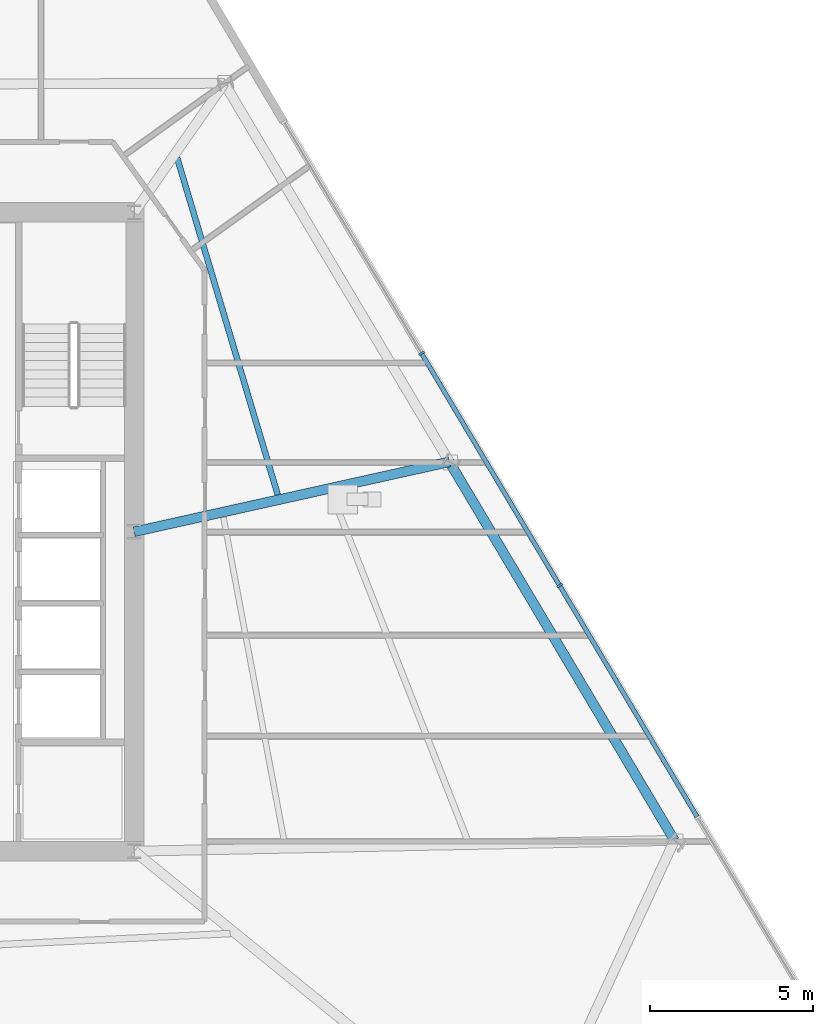
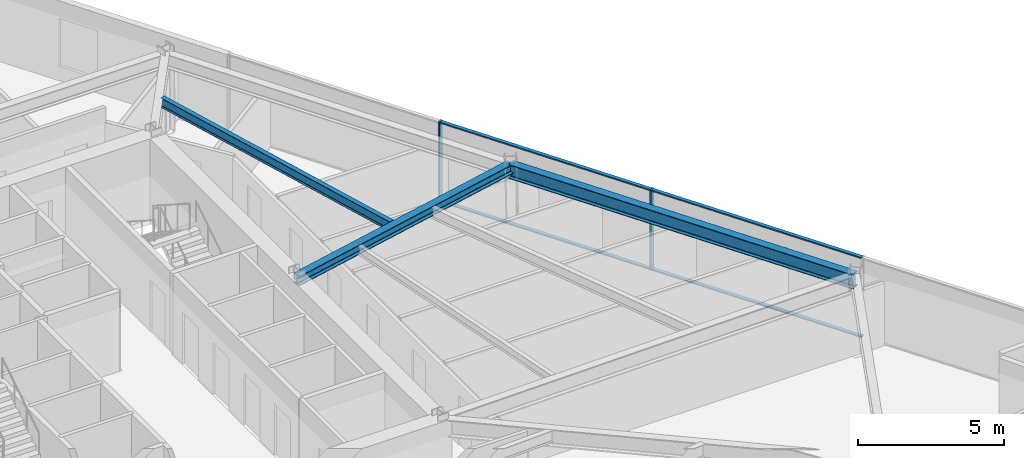
# One storey, part 6 of 17: 6 members, 3 beams, 1 element without a shape of its own.
"""IFC4 building model written with IfcOpenShell, lengths in metres."""

import ifcopenshell
import ifcopenshell.guid

model = None  # the IFC model being written
_history = None  # IfcOwnerHistory: only IFC2X3 demands one
_inside = {}  # id of a spatial element -> (the spatial element, [elements in it])
_under = {}  # id of a project, library or spatial element -> (it, [spatial elements below it])
_declared = {}  # id of a project -> (the project, [libraries it declares])
_typed = {}  # id of a type object -> (the type object, [elements of that type])
_made_of = {}  # id of a material, layer set ... -> (it, [elements and type objects made of it])


def new_model(schema):
    """Start an empty IFC model of exactly this schema.

    Asked for "IFC4X3", IfcOpenShell would pick the latest addendum, in which some entities
    have other attributes; the version numbers below select the first issue.
    IFC2X3 requires an IfcOwnerHistory on every rooted entity: one is made here for all.
    """
    global model, _history
    if schema == "IFC4X3":
        model = ifcopenshell.file(schema_version=(4, 3, 0, 0))
    else:
        model = ifcopenshell.file(schema=schema)
    _inside.clear()
    _under.clear()
    _declared.clear()
    _typed.clear()
    _made_of.clear()
    _history = None
    if model.schema == "IFC2X3":
        org = make("IfcOrganization", Name="unknown")
        user = make(
            "IfcPersonAndOrganization",
            ThePerson=make("IfcPerson", FamilyName="unknown"),
            TheOrganization=org,
        )
        app = make(
            "IfcApplication",
            ApplicationDeveloper=org,
            Version="unknown",
            ApplicationFullName="unknown",
            ApplicationIdentifier="unknown",
        )
        _history = make(
            "IfcOwnerHistory",
            OwningUser=user,
            OwningApplication=app,
            ChangeAction="ADDED",
            CreationDate=0,
        )
    return model


def make(cls, **values):
    """One entity of the class cls with the attributes given. An attribute that is None is left unset."""
    return model.create_entity(
        cls, **{name: value for name, value in values.items() if value is not None}
    )


def rooted(cls, **values):
    """An entity with a GlobalId (a new one), such as an element, a storey or a relation."""
    return make(cls, GlobalId=ifcopenshell.guid.new(), OwnerHistory=_history, **values)


def si_unit(unit_type, name, prefix=None):
    """IfcSIUnit, for example si_unit("LENGTHUNIT", "METRE", prefix="MILLI")."""
    return make("IfcSIUnit", UnitType=unit_type, Prefix=prefix, Name=name)


def assignment(units):
    """IfcUnitAssignment: the units of a project."""
    return None if units is None else make("IfcUnitAssignment", Units=units)


def point(xyz):
    """IfcCartesianPoint."""
    return None if xyz is None else make("IfcCartesianPoint", Coordinates=xyz)


def direction(xyz):
    """IfcDirection."""
    return None if xyz is None else make("IfcDirection", DirectionRatios=xyz)


def frame(location, z_axis=None, x_axis=None):
    """IfcAxis2Placement3D, a coordinate frame: its origin and axes. An axis left out is left unset."""
    return make(
        "IfcAxis2Placement3D",
        Location=point(location),
        Axis=direction(z_axis),
        RefDirection=direction(x_axis),
    )


def frame_2d(location, x_axis=None):
    """IfcAxis2Placement2D, a coordinate frame in the plane: its origin and x axis."""
    return make(
        "IfcAxis2Placement2D", Location=point(location), RefDirection=direction(x_axis)
    )


def origin():
    """The frame at (0, 0, 0) with its axes left unset."""
    return frame((0.0, 0.0, 0.0))


def origin_2d():
    """The frame at (0, 0) in the plane with its x axis left unset."""
    return frame_2d((0.0, 0.0))


def place(relative_to, where):
    """IfcLocalPlacement: puts the frame where relative to a parent placement (None: the world)."""
    return make(
        "IfcLocalPlacement", PlacementRelTo=relative_to, RelativePlacement=where
    )


def context(
    kind, dimensions, precision=None, world=None, true_north=None, identifier=None
):
    """IfcGeometricRepresentationContext, for example the 3D "Model" context."""
    return make(
        "IfcGeometricRepresentationContext",
        ContextIdentifier=identifier,
        ContextType=kind,
        CoordinateSpaceDimension=dimensions,
        Precision=precision,
        WorldCoordinateSystem=world,
        TrueNorth=true_north,
    )


def subcontext(parent, identifier, kind, view, scale=None):
    """IfcGeometricRepresentationSubContext, for example "Body" below "Model"."""
    return make(
        "IfcGeometricRepresentationSubContext",
        ContextIdentifier=identifier,
        ContextType=kind,
        ParentContext=parent,
        TargetScale=scale,
        TargetView=view,
    )


def project(units=None, contexts=None):
    """IfcProject with its units and contexts."""
    return rooted(
        "IfcProject",
        Name="project",
        RepresentationContexts=contexts,
        UnitsInContext=assignment(units),
    )


def spatial(cls, under=None, at=None, **own):
    """A site, building, storey or space (cls), placed at a placement, below another one or the project."""
    s = rooted(cls, ObjectPlacement=at, **own)
    if under is not None:
        _under.setdefault(under.id(), (under, []))[1].append(s)
    return s


def profile(cls, at=None, kind="AREA", **sizes):
    """A parametric profile (cls). Its sizes go by their IFC names, for example OverallWidth=200.0."""
    return make(cls, ProfileType=kind, Position=at, **sizes)


def rectangle(**sizes):
    """IfcRectangleProfileDef."""
    return profile("IfcRectangleProfileDef", **sizes)


def i_section(**sizes):
    """IfcIShapeProfileDef."""
    return profile("IfcIShapeProfileDef", **sizes)


def extrude(swept, where, along, depth):
    """IfcExtrudedAreaSolid: the profile swept, set in the frame where, extruded along a direction by depth."""
    return make(
        "IfcExtrudedAreaSolid",
        SweptArea=swept,
        Position=where,
        ExtrudedDirection=direction(along),
        Depth=depth,
    )


def shape(context_of_items, identifier, shape_type, items):
    """IfcShapeRepresentation: the items that make up one representation, for example the "Body"."""
    return make(
        "IfcShapeRepresentation",
        ContextOfItems=context_of_items,
        RepresentationIdentifier=identifier,
        RepresentationType=shape_type,
        Items=items,
    )


def material(Name=None, Category=None):
    """IfcMaterial."""
    return make("IfcMaterial", Name=Name, Category=Category)


def material_profile(
    of_material, cross_section, Name=None, Category=None, Priority=None
):
    """IfcMaterialProfile: a cross section and its material."""
    return make(
        "IfcMaterialProfile",
        Name=Name,
        Material=of_material,
        Profile=cross_section,
        Priority=Priority,
        Category=Category,
    )


def profile_set(profiles, Name=None, composite=None):
    """IfcMaterialProfileSet."""
    return make(
        "IfcMaterialProfileSet",
        Name=Name,
        MaterialProfiles=profiles,
        CompositeProfile=composite,
    )


def made_of(thing, what):
    """Note that an element or type object is made of a material, layer set ...; save() writes the relation."""
    if what is not None:
        _made_of.setdefault(what.id(), (what, []))[1].append(thing)
    return thing


def type_object(cls, material=None, **own):
    """A type object (cls), such as IfcWallType, which elements share."""
    return made_of(rooted(cls, **own), material)


def element(
    cls,
    number,
    at=None,
    inside=None,
    cuts=None,
    type_object=None,
    material=None,
    context=None,
    identifier="Body",
    shape_type=None,
    held_by="IfcProductDefinitionShape",
    body=None,
    shapes=None,
    **own,
):
    """One element of the class cls, such as IfcWall. Its Tag is "e" and its number.

    at: its placement. inside: the storey or other place that contains it. cuts: it is an
    opening in that element (IfcRelVoidsElement). A single representation is given by context,
    identifier, shape_type and body (its items); several are given by shapes. held_by: the class
    of the entity that holds the representations. save() writes the other relations.
    """
    e = rooted(cls, Tag="e%d" % number, ObjectPlacement=at, **own)
    if body is not None:
        shapes = [shape(context, identifier, shape_type, body)]
    if shapes is not None:
        e.Representation = make(held_by, Representations=shapes)
    if inside is not None:
        _inside.setdefault(inside.id(), (inside, []))[1].append(e)
    if cuts is not None:
        rooted(
            "IfcRelVoidsElement", RelatingBuildingElement=cuts, RelatedOpeningElement=e
        )
    if type_object is not None:
        _typed.setdefault(type_object.id(), (type_object, []))[1].append(e)
    return made_of(e, material)


def aggregate(whole, parts):
    """IfcRelAggregates: a whole, such as a stair, and the parts it consists of."""
    return rooted("IfcRelAggregates", RelatingObject=whole, RelatedObjects=parts)


def save(model, path):
    """Write the relations noted so far, then the file.

    IfcRelAggregates (storeys below a building ...), IfcRelContainedInSpatialStructure (elements
    in a storey), IfcRelDefinesByType, IfcRelAssociatesMaterial and IfcRelDeclares: one each for
    every whole, place, type object, material and project.
    """
    for whole, parts in _under.values():
        aggregate(whole, parts)
    for where, things in _inside.values():
        rooted(
            "IfcRelContainedInSpatialStructure",
            RelatedElements=things,
            RelatingStructure=where,
        )
    for kind, things in _typed.values():
        rooted("IfcRelDefinesByType", RelatedObjects=things, RelatingType=kind)
    for what, things in _made_of.values():
        rooted("IfcRelAssociatesMaterial", RelatedObjects=things, RelatingMaterial=what)
    for by, libraries in _declared.values():
        rooted("IfcRelDeclares", RelatingContext=by, RelatedDefinitions=libraries)
    model.write(path)


model = new_model("IFC4")

# Units and contexts
model_context = context("Model", 3, precision=1e-05, world=origin(), true_north=direction((0.0, 1.0)))
body_context = subcontext(model_context, "Body", "Model", "MODEL_VIEW")
ifc_project = project(units=[si_unit("LENGTHUNIT", "METRE"), si_unit("AREAUNIT", "SQUARE_METRE"), si_unit("VOLUMEUNIT", "CUBIC_METRE"), si_unit("PLANEANGLEUNIT", "RADIAN"), si_unit("MASSUNIT", "GRAM", prefix="KILO")], contexts=[model_context])

# Site, building, storey
site_placement = place(None, origin())
site = spatial("IfcSite", under=ifc_project, at=site_placement, CompositionType="ELEMENT")
building_placement = place(site_placement, origin())
building = spatial("IfcBuilding", under=site, at=building_placement, Name="Savorim Split Tower", CompositionType="ELEMENT")
storey_placement = place(building_placement, frame((0.0, 0.0, 58.800048828125)))
storey = spatial("IfcBuildingStorey", under=building, at=storey_placement, Name="L15", CompositionType="ELEMENT", Elevation=58.800048828125)

# Beams
ifc_material_1 = material(Name="Steel S355", Category="steel")
ifc_material_profile_1 = material_profile(ifc_material_1, i_section(OverallWidth=0.179931640625, OverallDepth=0.39990234375, WebThickness=0.008544921875, FlangeThickness=0.013427734375, FilletRadius=0.02099609375, at=origin_2d()), Name="IPE 400")
ifc_profile_set_1 = profile_set([ifc_material_profile_1], Name="Steel S355")
beam_type_1 = type_object("IfcBeamType", Name="BM-JST-IPE400", PredefinedType="JOIST", material=ifc_profile_set_1)
beam_1_placement = place(storey_placement, frame((12.101806640625, 1.540283203125, 3.14990234375), z_axis=(-0.286213075554, 0.958165995734, 0.0), x_axis=(-0.958165995734, -0.286213075554, 0.0)))
element("IfcBeam", 1, at=beam_1_placement, inside=storey, type_object=beam_type_1, Name="L15 Secondary Floor Joist JS-07", PredefinedType="JOIST", context=body_context, shape_type="SweptSolid", body=[
    extrude(i_section(OverallWidth=0.179931640625, OverallDepth=0.39990234375, WebThickness=0.008544921875, FlangeThickness=0.013427734375, FilletRadius=0.02099609375, at=origin_2d()), origin(), (0.0, 0.0, 1.0), 10.778564453125),
])
ifc_material_profile_2 = material_profile(ifc_material_1, i_section(OverallWidth=0.300048828125, OverallDepth=0.39990234375, WebThickness=0.013427734375, FlangeThickness=0.02392578125, FilletRadius=0.027099609375, at=origin_2d()), Name="HEB 400")
ifc_profile_set_2 = profile_set([ifc_material_profile_2], Name="Steel S355")
beam_type_2 = type_object("IfcBeamType", Name="BM-PRI-HEB400", PredefinedType="BEAM", material=ifc_profile_set_2)
beam_2_placement = place(storey_placement, frame((17.368408203125, 2.5458984375, 3.14990234375), z_axis=(-0.976241552269, -0.216685097835, 0.0), x_axis=(0.216685097835, -0.976241552269, 0.0)))
element("IfcBeam", 2, at=beam_2_placement, inside=storey, type_object=beam_type_2, Name="L15 Primary Floor Girder RG-06", PredefinedType="BEAM", context=body_context, shape_type="SweptSolid", body=[
    extrude(i_section(OverallWidth=0.300048828125, OverallDepth=0.39990234375, WebThickness=0.013427734375, FlangeThickness=0.02392578125, FilletRadius=0.027099609375, at=origin_2d()), origin(), (0.0, 0.0, 1.0), 9.90380859375),
])
ifc_material_profile_3 = material_profile(ifc_material_1, i_section(OverallWidth=0.300048828125, OverallDepth=0.590087890625, WebThickness=0.012939453125, FlangeThickness=0.02490234375, FilletRadius=0.027099609375, at=origin_2d()), Name="HEA 600")
ifc_profile_set_3 = profile_set([ifc_material_profile_3], Name="Steel S355")
beam_type_3 = type_object("IfcBeamType", Name="BM-SPN-HEA600", PredefinedType="SPANDREL", material=ifc_profile_set_3)
beam_3_placement = place(storey_placement, frame((24.273681640625, -9.067138671875, 3.054931640625), z_axis=(-0.51108766043, 0.859528593681, 0.0), x_axis=(-0.859528593681, -0.51108766043, 0.0)))
element("IfcBeam", 3, at=beam_3_placement, inside=storey, type_object=beam_type_3, Name="L15 Perimeter Spandrel Beam 5", PredefinedType="SPANDREL", context=body_context, shape_type="SweptSolid", body=[
    extrude(i_section(OverallWidth=0.300048828125, OverallDepth=0.590087890625, WebThickness=0.012939453125, FlangeThickness=0.02490234375, FilletRadius=0.027099609375, at=origin_2d()), origin(), (0.0, 0.0, 1.0), 13.510986328125),
])

# Curtain wall, members
ifc_material_2 = material(Name="Dark Ceramic-Fritted Insulated Glass", Category="glass")
curtain_wall_type = type_object("IfcCurtainWallType", Name="CW-TWR-FRIT-A", PredefinedType="NOTDEFINED", material=ifc_material_2)
curtain_wall_placement = place(storey_placement, origin())
curtain_wall = element("IfcCurtainWall", 4, at=curtain_wall_placement, inside=storey, type_object=curtain_wall_type, Name="L15 Curtain Wall CW-L15-EAST", PredefinedType="NOTDEFINED")
ifc_material_3 = material(Name="Charcoal Anodised Aluminium", Category="aluminium")
ifc_material_profile_4 = material_profile(ifc_material_3, rectangle(XDim=0.179931640625, YDim=0.06494140625, at=origin_2d()), Name="ALU-M 180x65")
ifc_profile_set_4 = profile_set([ifc_material_profile_4], Name="Charcoal Anodised Aluminium")
member_type_1 = type_object("IfcMemberType", Name="CWM-180x65", PredefinedType="MULLION", material=ifc_profile_set_4)
member_1_placement = place(storey_placement, frame((20.750244140625, -1.248779296875, 0.0), z_axis=(0.0, 0.0, 1.0), x_axis=(-0.859525822673, -0.511092320583, 0.0)))
member_1 = element("IfcMember", 5, at=member_1_placement, type_object=member_type_1, Name="CW-02 mullion 3", PredefinedType="MULLION", context=body_context, shape_type="SweptSolid", body=[
    extrude(rectangle(XDim=0.179931640625, YDim=0.06494140625, at=origin_2d()), origin(), (0.0, 0.0, 1.0), 3.349853515625),
])
member_2_placement = place(storey_placement, frame((16.51513671875, 5.87353515625, 0.0), z_axis=(0.0, 0.0, 1.0), x_axis=(-0.859525822673, -0.511092320583, 0.0)))
member_2 = element("IfcMember", 6, at=member_2_placement, type_object=member_type_1, Name="CW-02 mullion 4", PredefinedType="MULLION", context=body_context, shape_type="SweptSolid", body=[
    extrude(rectangle(XDim=0.179931640625, YDim=0.06494140625, at=origin_2d()), origin(), (0.0, 0.0, 1.0), 3.349853515625),
])
ifc_material_profile_5 = material_profile(ifc_material_3, rectangle(XDim=0.139892578125, YDim=0.054931640625, at=origin_2d()), Name="ALU-T 140x55")
ifc_profile_set_5 = profile_set([ifc_material_profile_5], Name="Charcoal Anodised Aluminium")
member_type_2 = type_object("IfcMemberType", Name="CWT-140x55", PredefinedType="USERDEFINED", material=ifc_profile_set_5)
member_3_placement = place(storey_placement, frame((24.96875, -8.343505859375, 0.02734375), z_axis=(-0.511085472891, 0.859529894419, 0.0), x_axis=(-0.859529894419, -0.511085472891, 0.0)))
member_3 = element("IfcMember", 7, at=member_3_placement, type_object=member_type_2, Name="CW-02 transom 2.1", ObjectType="TRANSOM", PredefinedType="USERDEFINED", context=body_context, shape_type="SweptSolid", body=[
    extrude(rectangle(XDim=0.139892578125, YDim=0.054931640625, at=origin_2d()), origin(), (0.0, 0.0, 1.0), 8.221435546875),
])
member_4_placement = place(storey_placement, frame((24.96875, -8.343505859375, 3.322509765625), z_axis=(-0.511085472891, 0.859529894419, 0.0), x_axis=(-0.859529894419, -0.511085472891, 0.0)))
member_4 = element("IfcMember", 8, at=member_4_placement, type_object=member_type_2, Name="CW-02 transom 2.2", ObjectType="TRANSOM", PredefinedType="USERDEFINED", context=body_context, shape_type="SweptSolid", body=[
    extrude(rectangle(XDim=0.139892578125, YDim=0.054931640625, at=origin_2d()), origin(), (0.0, 0.0, 1.0), 8.221435546875),
])
member_5_placement = place(storey_placement, frame((20.733642578125, -1.220947265625, 0.02734375), z_axis=(-0.511085472891, 0.859529894419, 0.0), x_axis=(-0.859529894419, -0.511085472891, 0.0)))
member_5 = element("IfcMember", 9, at=member_5_placement, type_object=member_type_2, Name="CW-02 transom 3.1", ObjectType="TRANSOM", PredefinedType="USERDEFINED", context=body_context, shape_type="SweptSolid", body=[
    extrude(rectangle(XDim=0.139892578125, YDim=0.054931640625, at=origin_2d()), origin(), (0.0, 0.0, 1.0), 8.221435546875),
])
member_6_placement = place(storey_placement, frame((20.733642578125, -1.220947265625, 3.322509765625), z_axis=(-0.511085472891, 0.859529894419, 0.0), x_axis=(-0.859529894419, -0.511085472891, 0.0)))
member_6 = element("IfcMember", 10, at=member_6_placement, type_object=member_type_2, Name="CW-02 transom 3.2", ObjectType="TRANSOM", PredefinedType="USERDEFINED", context=body_context, shape_type="SweptSolid", body=[
    extrude(rectangle(XDim=0.139892578125, YDim=0.054931640625, at=origin_2d()), origin(), (0.0, 0.0, 1.0), 8.221435546875),
])
aggregate(curtain_wall, [member_1, member_2, member_3, member_4, member_5, member_6])

save(model, "model.ifc")
